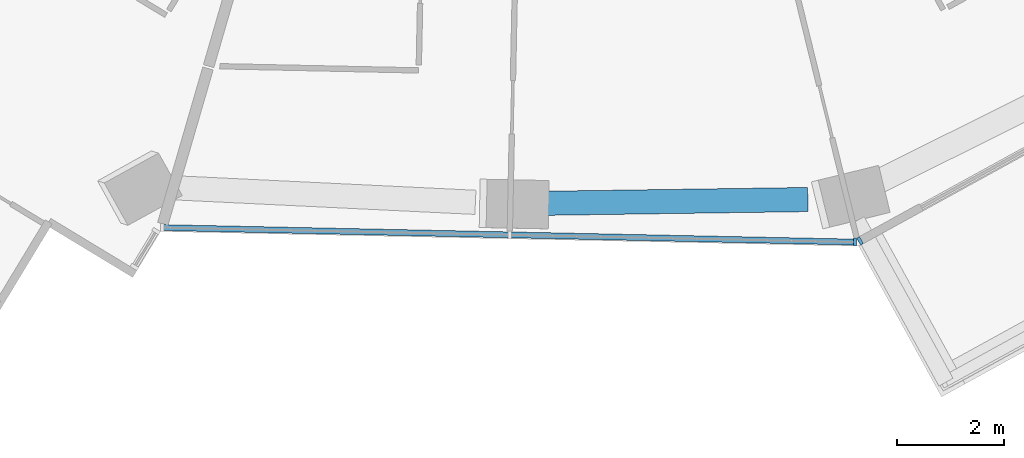
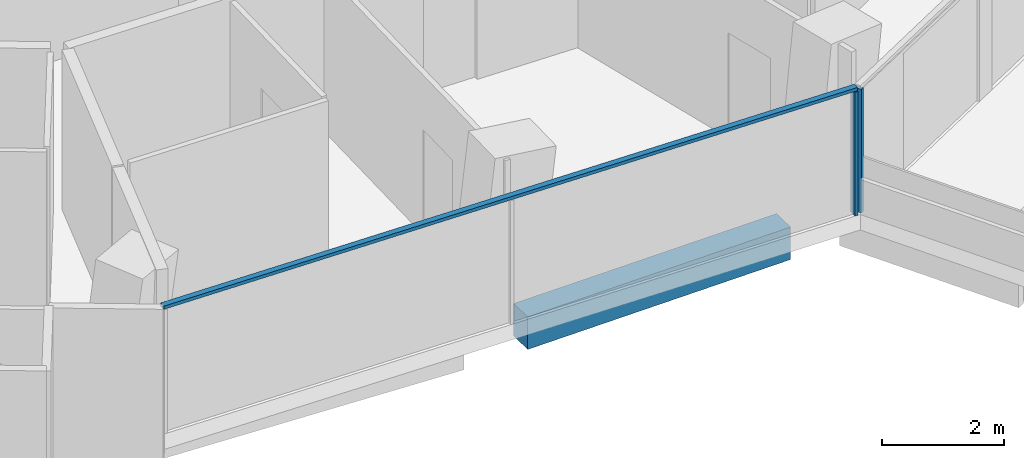
# One storey, part 3 of 22: 3 members, 1 beam, 2 elements without a shape of their own.
"""IFC4 building model written with IfcOpenShell, lengths in metres."""

import ifcopenshell
import ifcopenshell.guid

model = None  # the IFC model being written
_history = None  # IfcOwnerHistory: only IFC2X3 demands one
_inside = {}  # id of a spatial element -> (the spatial element, [elements in it])
_under = {}  # id of a project, library or spatial element -> (it, [spatial elements below it])
_declared = {}  # id of a project -> (the project, [libraries it declares])
_typed = {}  # id of a type object -> (the type object, [elements of that type])
_made_of = {}  # id of a material, layer set ... -> (it, [elements and type objects made of it])


def new_model(schema):
    """Start an empty IFC model of exactly this schema.

    Asked for "IFC4X3", IfcOpenShell would pick the latest addendum, in which some entities
    have other attributes; the version numbers below select the first issue.
    IFC2X3 requires an IfcOwnerHistory on every rooted entity: one is made here for all.
    """
    global model, _history
    if schema == "IFC4X3":
        model = ifcopenshell.file(schema_version=(4, 3, 0, 0))
    else:
        model = ifcopenshell.file(schema=schema)
    _inside.clear()
    _under.clear()
    _declared.clear()
    _typed.clear()
    _made_of.clear()
    _history = None
    if model.schema == "IFC2X3":
        org = make("IfcOrganization", Name="unknown")
        user = make(
            "IfcPersonAndOrganization",
            ThePerson=make("IfcPerson", FamilyName="unknown"),
            TheOrganization=org,
        )
        app = make(
            "IfcApplication",
            ApplicationDeveloper=org,
            Version="unknown",
            ApplicationFullName="unknown",
            ApplicationIdentifier="unknown",
        )
        _history = make(
            "IfcOwnerHistory",
            OwningUser=user,
            OwningApplication=app,
            ChangeAction="ADDED",
            CreationDate=0,
        )
    return model


def make(cls, **values):
    """One entity of the class cls with the attributes given. An attribute that is None is left unset."""
    return model.create_entity(
        cls, **{name: value for name, value in values.items() if value is not None}
    )


def rooted(cls, **values):
    """An entity with a GlobalId (a new one), such as an element, a storey or a relation."""
    return make(cls, GlobalId=ifcopenshell.guid.new(), OwnerHistory=_history, **values)


def si_unit(unit_type, name, prefix=None):
    """IfcSIUnit, for example si_unit("LENGTHUNIT", "METRE", prefix="MILLI")."""
    return make("IfcSIUnit", UnitType=unit_type, Prefix=prefix, Name=name)


def assignment(units):
    """IfcUnitAssignment: the units of a project."""
    return None if units is None else make("IfcUnitAssignment", Units=units)


def point(xyz):
    """IfcCartesianPoint."""
    return None if xyz is None else make("IfcCartesianPoint", Coordinates=xyz)


def direction(xyz):
    """IfcDirection."""
    return None if xyz is None else make("IfcDirection", DirectionRatios=xyz)


def frame(location, z_axis=None, x_axis=None):
    """IfcAxis2Placement3D, a coordinate frame: its origin and axes. An axis left out is left unset."""
    return make(
        "IfcAxis2Placement3D",
        Location=point(location),
        Axis=direction(z_axis),
        RefDirection=direction(x_axis),
    )


def frame_2d(location, x_axis=None):
    """IfcAxis2Placement2D, a coordinate frame in the plane: its origin and x axis."""
    return make(
        "IfcAxis2Placement2D", Location=point(location), RefDirection=direction(x_axis)
    )


def origin():
    """The frame at (0, 0, 0) with its axes left unset."""
    return frame((0.0, 0.0, 0.0))


def origin_2d():
    """The frame at (0, 0) in the plane with its x axis left unset."""
    return frame_2d((0.0, 0.0))


def place(relative_to, where):
    """IfcLocalPlacement: puts the frame where relative to a parent placement (None: the world)."""
    return make(
        "IfcLocalPlacement", PlacementRelTo=relative_to, RelativePlacement=where
    )


def context(
    kind, dimensions, precision=None, world=None, true_north=None, identifier=None
):
    """IfcGeometricRepresentationContext, for example the 3D "Model" context."""
    return make(
        "IfcGeometricRepresentationContext",
        ContextIdentifier=identifier,
        ContextType=kind,
        CoordinateSpaceDimension=dimensions,
        Precision=precision,
        WorldCoordinateSystem=world,
        TrueNorth=true_north,
    )


def subcontext(parent, identifier, kind, view, scale=None):
    """IfcGeometricRepresentationSubContext, for example "Body" below "Model"."""
    return make(
        "IfcGeometricRepresentationSubContext",
        ContextIdentifier=identifier,
        ContextType=kind,
        ParentContext=parent,
        TargetScale=scale,
        TargetView=view,
    )


def project(units=None, contexts=None):
    """IfcProject with its units and contexts."""
    return rooted(
        "IfcProject",
        Name="project",
        RepresentationContexts=contexts,
        UnitsInContext=assignment(units),
    )


def spatial(cls, under=None, at=None, **own):
    """A site, building, storey or space (cls), placed at a placement, below another one or the project."""
    s = rooted(cls, ObjectPlacement=at, **own)
    if under is not None:
        _under.setdefault(under.id(), (under, []))[1].append(s)
    return s


def profile(cls, at=None, kind="AREA", **sizes):
    """A parametric profile (cls). Its sizes go by their IFC names, for example OverallWidth=200.0."""
    return make(cls, ProfileType=kind, Position=at, **sizes)


def rectangle(**sizes):
    """IfcRectangleProfileDef."""
    return profile("IfcRectangleProfileDef", **sizes)


def extrude(swept, where, along, depth):
    """IfcExtrudedAreaSolid: the profile swept, set in the frame where, extruded along a direction by depth."""
    return make(
        "IfcExtrudedAreaSolid",
        SweptArea=swept,
        Position=where,
        ExtrudedDirection=direction(along),
        Depth=depth,
    )


def shape(context_of_items, identifier, shape_type, items):
    """IfcShapeRepresentation: the items that make up one representation, for example the "Body"."""
    return make(
        "IfcShapeRepresentation",
        ContextOfItems=context_of_items,
        RepresentationIdentifier=identifier,
        RepresentationType=shape_type,
        Items=items,
    )


def material(Name=None, Category=None):
    """IfcMaterial."""
    return make("IfcMaterial", Name=Name, Category=Category)


def layer(
    of_material, thickness, ventilated=None, Name=None, Category=None, Priority=None
):
    """IfcMaterialLayer: one layer of a wall or slab, of a material (None: an air gap)."""
    return make(
        "IfcMaterialLayer",
        Material=of_material,
        LayerThickness=thickness,
        IsVentilated=ventilated,
        Name=Name,
        Category=Category,
        Priority=Priority,
    )


def layer_set(layers, Name=None):
    """IfcMaterialLayerSet."""
    return make("IfcMaterialLayerSet", MaterialLayers=layers, LayerSetName=Name)


def material_profile(
    of_material, cross_section, Name=None, Category=None, Priority=None
):
    """IfcMaterialProfile: a cross section and its material."""
    return make(
        "IfcMaterialProfile",
        Name=Name,
        Material=of_material,
        Profile=cross_section,
        Priority=Priority,
        Category=Category,
    )


def profile_set(profiles, Name=None, composite=None):
    """IfcMaterialProfileSet."""
    return make(
        "IfcMaterialProfileSet",
        Name=Name,
        MaterialProfiles=profiles,
        CompositeProfile=composite,
    )


def made_of(thing, what):
    """Note that an element or type object is made of a material, layer set ...; save() writes the relation."""
    if what is not None:
        _made_of.setdefault(what.id(), (what, []))[1].append(thing)
    return thing


def type_object(cls, material=None, **own):
    """A type object (cls), such as IfcWallType, which elements share."""
    return made_of(rooted(cls, **own), material)


def element(
    cls,
    number,
    at=None,
    inside=None,
    cuts=None,
    type_object=None,
    material=None,
    context=None,
    identifier="Body",
    shape_type=None,
    held_by="IfcProductDefinitionShape",
    body=None,
    shapes=None,
    **own,
):
    """One element of the class cls, such as IfcWall. Its Tag is "e" and its number.

    at: its placement. inside: the storey or other place that contains it. cuts: it is an
    opening in that element (IfcRelVoidsElement). A single representation is given by context,
    identifier, shape_type and body (its items); several are given by shapes. held_by: the class
    of the entity that holds the representations. save() writes the other relations.
    """
    e = rooted(cls, Tag="e%d" % number, ObjectPlacement=at, **own)
    if body is not None:
        shapes = [shape(context, identifier, shape_type, body)]
    if shapes is not None:
        e.Representation = make(held_by, Representations=shapes)
    if inside is not None:
        _inside.setdefault(inside.id(), (inside, []))[1].append(e)
    if cuts is not None:
        rooted(
            "IfcRelVoidsElement", RelatingBuildingElement=cuts, RelatedOpeningElement=e
        )
    if type_object is not None:
        _typed.setdefault(type_object.id(), (type_object, []))[1].append(e)
    return made_of(e, material)


def aggregate(whole, parts):
    """IfcRelAggregates: a whole, such as a stair, and the parts it consists of."""
    return rooted("IfcRelAggregates", RelatingObject=whole, RelatedObjects=parts)


def save(model, path):
    """Write the relations noted so far, then the file.

    IfcRelAggregates (storeys below a building ...), IfcRelContainedInSpatialStructure (elements
    in a storey), IfcRelDefinesByType, IfcRelAssociatesMaterial and IfcRelDeclares: one each for
    every whole, place, type object, material and project.
    """
    for whole, parts in _under.values():
        aggregate(whole, parts)
    for where, things in _inside.values():
        rooted(
            "IfcRelContainedInSpatialStructure",
            RelatedElements=things,
            RelatingStructure=where,
        )
    for kind, things in _typed.values():
        rooted("IfcRelDefinesByType", RelatedObjects=things, RelatingType=kind)
    for what, things in _made_of.values():
        rooted("IfcRelAssociatesMaterial", RelatedObjects=things, RelatingMaterial=what)
    for by, libraries in _declared.values():
        rooted("IfcRelDeclares", RelatingContext=by, RelatedDefinitions=libraries)
    model.write(path)


model = new_model("IFC4")

# Units and contexts
model_context = context("Model", 3, precision=1e-05, world=origin(), true_north=direction((0.0, 1.0)))
body_context = subcontext(model_context, "Body", "Model", "MODEL_VIEW")
ifc_project = project(units=[si_unit("LENGTHUNIT", "METRE"), si_unit("AREAUNIT", "SQUARE_METRE"), si_unit("VOLUMEUNIT", "CUBIC_METRE"), si_unit("PLANEANGLEUNIT", "RADIAN"), si_unit("MASSUNIT", "GRAM", prefix="KILO")], contexts=[model_context])

# Site, building, storey
site_placement = place(None, origin())
site = spatial("IfcSite", under=ifc_project, at=site_placement, CompositionType="ELEMENT")
building_placement = place(site_placement, origin())
building = spatial("IfcBuilding", under=site, at=building_placement, Name="Verdalira Terraces Hotel", CompositionType="ELEMENT")
storey_placement = place(building_placement, frame((0.0, 0.0, 150.5)))
storey = spatial("IfcBuildingStorey", under=building, at=storey_placement, Name="L36", CompositionType="ELEMENT", Elevation=150.5)

# Curtain wall, member
ifc_material_1 = material(Name="Clear glass", Category="glass")
ifc_layer = layer(ifc_material_1, 0.14990234375)
ifc_layer_set = layer_set([ifc_layer], Name="CW1 curtain wall")
curtain_wall_type = type_object("IfcCurtainWallType", Name="CW1 curtain wall", PredefinedType="NOTDEFINED", material=ifc_layer_set)
curtain_wall_1_placement = place(storey_placement, origin())
curtain_wall_1 = element("IfcCurtainWall", 1, at=curtain_wall_1_placement, inside=storey, type_object=curtain_wall_type, Name="CW1 curtain wall L36 edge 25", PredefinedType="NOTDEFINED")
ifc_material_2 = material(Name="Terracotta frame", Category="masonry")
ifc_material_profile_1 = material_profile(ifc_material_2, rectangle(XDim=0.060059, YDim=0.149902, at=origin_2d()), Name="MU 60x150")
ifc_profile_set_1 = profile_set([ifc_material_profile_1], Name="Terracotta frame")
member_type_1 = type_object("IfcMemberType", Name="CW1 mullion 60x150", PredefinedType="MULLION", material=ifc_profile_set_1)
member_1_placement = place(storey_placement, frame((5.921875, -24.312744, 0.0), z_axis=(0.0, 0.0, 1.0), x_axis=(0.999780683, -0.02094242, 0.0)))
member_1 = element("IfcMember", 2, at=member_1_placement, type_object=member_type_1, Name="CW1 mullion", PredefinedType="MULLION", context=body_context, shape_type="SweptSolid", body=[
    extrude(rectangle(XDim=0.060059, YDim=0.149902, at=origin_2d()), origin(), (0.0, 0.0, 1.0), 2.475098),
])

curtain_wall_2_placement = place(storey_placement, origin())
curtain_wall_2 = element("IfcCurtainWall", 3, at=curtain_wall_2_placement, inside=storey, type_object=curtain_wall_type, Name="CW1 curtain wall L36 edge 26", PredefinedType="NOTDEFINED")
member_2_placement = place(storey_placement, frame((6.015869, -24.289551, 0.0), z_axis=(0.0, 0.0, 1.0), x_axis=(0.87630668, 0.481753674, 0.0)))
member_2 = element("IfcMember", 4, at=member_2_placement, type_object=member_type_1, Name="CW1 mullion", PredefinedType="MULLION", context=body_context, shape_type="SweptSolid", body=[
    extrude(rectangle(XDim=0.060059, YDim=0.149902, at=origin_2d()), origin(), (0.0, 0.0, 1.0), 2.475098),
])
aggregate(curtain_wall_2, [member_2])

# Member
ifc_material_3 = material(Name="Terracotta frame", Category="masonry")
ifc_material_profile_2 = material_profile(ifc_material_3, rectangle(XDim=0.110107, YDim=0.064941, at=origin_2d()), Name="TR 65x110")
ifc_profile_set_2 = profile_set([ifc_material_profile_2], Name="Terracotta frame")
member_type_2 = type_object("IfcMemberType", Name="CW1 transom 65x110", PredefinedType="USERDEFINED", material=ifc_profile_set_2)
member_3_placement = place(storey_placement, frame((-7.005127, -24.041992, 2.507568), z_axis=(0.999780959, -0.02092924, 0.0), x_axis=(0.02092924, 0.999780959, 0.0)))
member_3 = element("IfcMember", 5, at=member_3_placement, type_object=member_type_2, Name="CW1 transom", ObjectType="TRANSOM", PredefinedType="USERDEFINED", context=body_context, shape_type="SweptSolid", body=[
    extrude(rectangle(XDim=0.110107, YDim=0.064941, at=origin_2d()), origin(), (0.0, 0.0, 1.0), 12.959961),
])

aggregate(curtain_wall_1, [member_1, member_3])

# Beam
ifc_material_4 = material(Name="Concrete C50", Category="concrete")
ifc_material_profile_3 = material_profile(ifc_material_4, rectangle(XDim=0.449951, YDim=0.649902, at=origin_2d()), Name="RC 450X650")
ifc_profile_set_3 = profile_set([ifc_material_profile_3], Name="Concrete C50")
beam_type = type_object("IfcBeamType", Name="Spandrel beam RC 450X650 C50", PredefinedType="SPANDREL", material=ifc_profile_set_3)
beam_placement = place(storey_placement, frame((0.031494, -23.592529, -0.63501), z_axis=(0.999897457, 0.014320433, 0.0), x_axis=(-0.014320433, 0.999897457, 0.0)))
element("IfcBeam", 6, at=beam_placement, inside=storey, type_object=beam_type, Name="Spandrel beam B10", PredefinedType="SPANDREL", context=body_context, shape_type="SweptSolid", body=[
    extrude(rectangle(XDim=0.449951, YDim=0.649902, at=origin_2d()), origin(), (0.0, 0.0, 1.0), 5.012207),
])

save(model, "model.ifc")
